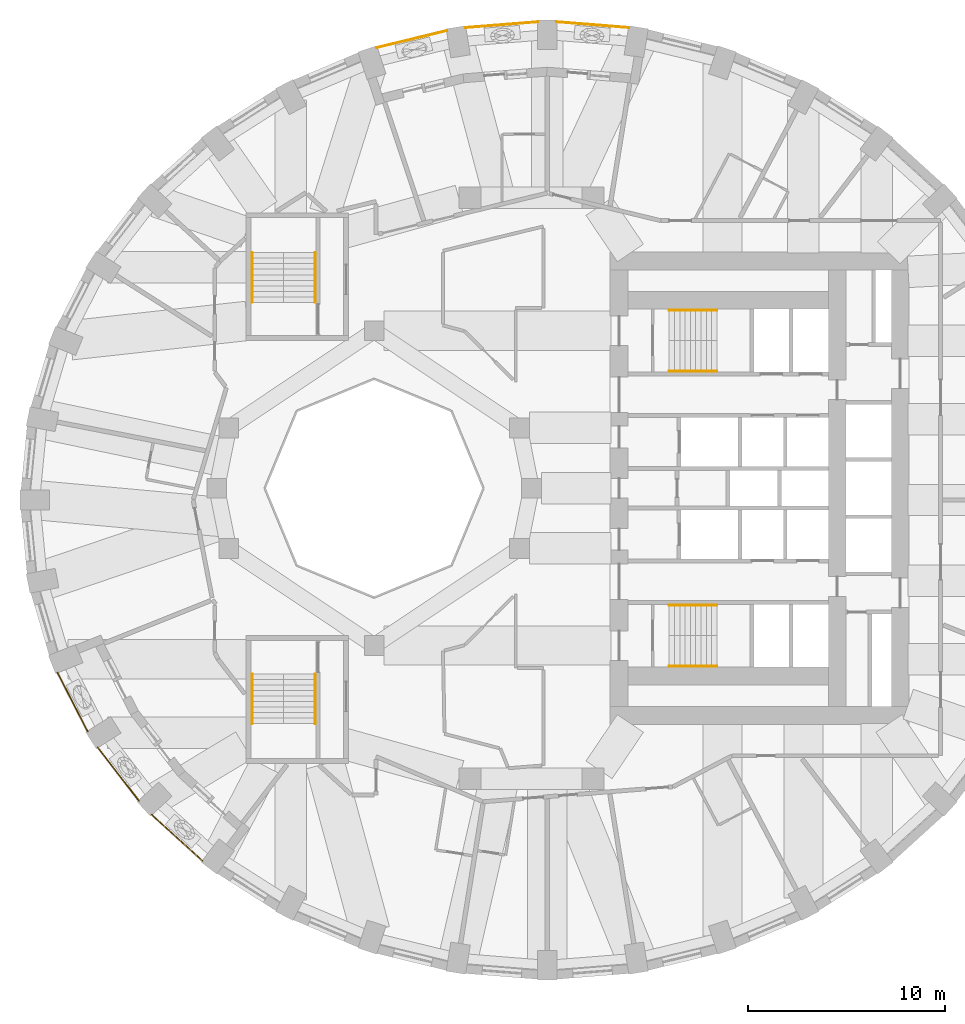
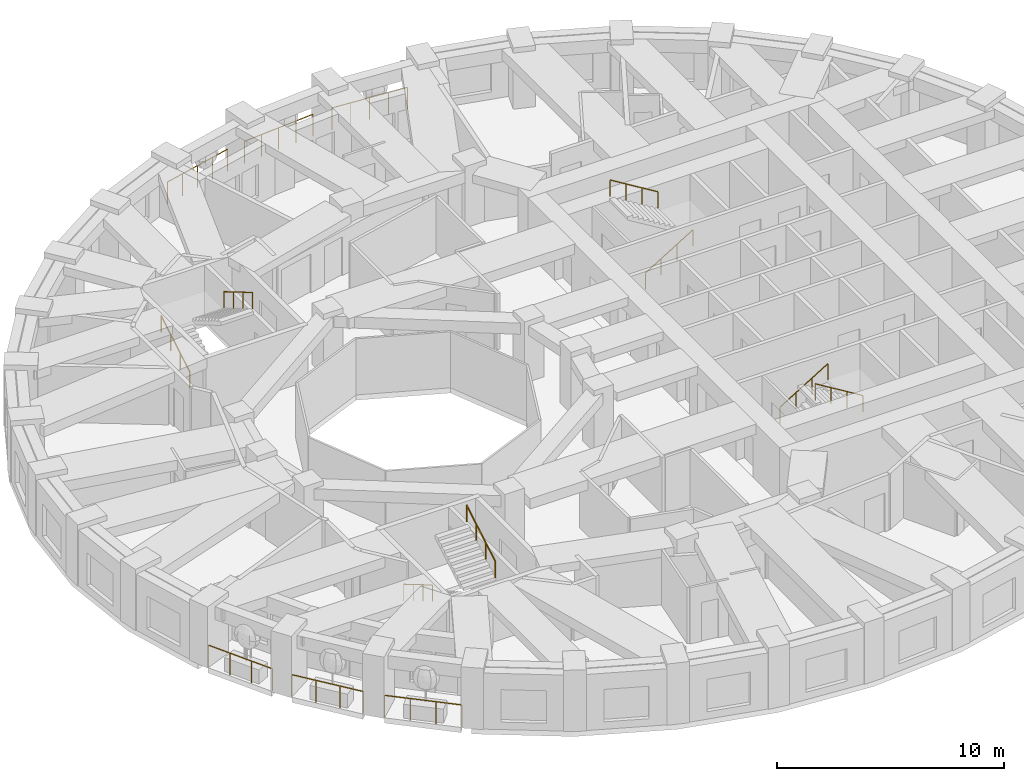
# One storey, part 10 of 12: 14 railings.
"""IFC4 building model written with IfcOpenShell, lengths in metres."""

from ifc_helpers import new_model, si_unit, direction, frame, origin, origin_2d, place, context, subcontext, project, spatial, circle, extrude, material, type_object, element, save


model = new_model("IFC4")

# Units and contexts
model_context = context("Model", 3, precision=1e-05, world=origin(), true_north=direction((0.0, 1.0)))
body_context = subcontext(model_context, "Body", "Model", "MODEL_VIEW")
ifc_project = project(units=[si_unit("LENGTHUNIT", "METRE"), si_unit("AREAUNIT", "SQUARE_METRE"), si_unit("VOLUMEUNIT", "CUBIC_METRE"), si_unit("PLANEANGLEUNIT", "RADIAN"), si_unit("MASSUNIT", "GRAM", prefix="KILO")], contexts=[model_context])

# Site, building, storey
site_placement = place(None, origin())
site = spatial("IfcSite", under=ifc_project, at=site_placement, CompositionType="ELEMENT")
building_placement = place(site_placement, origin())
building = spatial("IfcBuilding", under=site, at=building_placement, Name="Taillehof Tower", CompositionType="ELEMENT")
storey_placement = place(building_placement, frame((0.0, 0.0, 92.199951171875)))
storey = spatial("IfcBuildingStorey", under=building, at=storey_placement, Name="L25", CompositionType="ELEMENT", Elevation=92.199951171875)

# Railings
ifc_material_1 = material(Name="Stainless steel balustrade", Category="steel")
railing_type_1 = type_object("IfcRailingType", Name="Balcony guard 1200", PredefinedType="GUARDRAIL", material=ifc_material_1)
railing_1_placement = place(storey_placement, frame((-24.09912109375, -9.373779296875, 0.0)))
element("IfcRailing", 1, at=railing_1_placement, inside=storey, type_object=railing_type_1, Name="Balcony guard L25 bay 21", PredefinedType="GUARDRAIL", context=body_context, shape_type="SweptSolid", body=[
    extrude(circle(Radius=0.02392578125, at=origin_2d()), frame((0.0, 0.0, 1.17578125), z_axis=(0.456827973353, -0.88955505887, 0.0), x_axis=(0.88955505887, 0.456827973353, 0.0)), (0.0, 0.0, 1.0), 3.363037109375),
    extrude(circle(Radius=0.02099609375, at=origin_2d()), origin(), (0.0, 0.0, 1.0), 1.15185546875),
    extrude(circle(Radius=0.02099609375, at=origin_2d()), frame((0.51220703125, -0.997314453125, 0.0)), (0.0, 0.0, 1.0), 1.15185546875),
    extrude(circle(Radius=0.02099609375, at=origin_2d()), frame((1.024169921875, -1.994384765625, 0.0)), (0.0, 0.0, 1.0), 1.15185546875),
    extrude(circle(Radius=0.02099609375, at=origin_2d()), frame((1.536376953125, -2.99169921875, 0.0)), (0.0, 0.0, 1.0), 1.15185546875),
])
railing_2_placement = place(storey_placement, frame((-22.048095703125, -13.17626953125, 0.0)))
element("IfcRailing", 2, at=railing_2_placement, inside=storey, type_object=railing_type_1, Name="Balcony guard L25 bay 22", PredefinedType="GUARDRAIL", context=body_context, shape_type="SweptSolid", body=[
    extrude(circle(Radius=0.02392578125, at=origin_2d()), frame((0.0, 0.0, 1.17578125), z_axis=(0.610692337077, -0.791867962122, 0.0), x_axis=(0.791867962122, 0.610692337077, 0.0)), (0.0, 0.0, 1.0), 3.424072265625),
    extrude(circle(Radius=0.02099609375, at=origin_2d()), origin(), (0.0, 0.0, 1.0), 1.15185546875),
    extrude(circle(Radius=0.02099609375, at=origin_2d()), frame((0.697021484375, -0.90380859375, 0.0)), (0.0, 0.0, 1.0), 1.15185546875),
    extrude(circle(Radius=0.02099609375, at=origin_2d()), frame((1.39404296875, -1.8076171875, 0.0)), (0.0, 0.0, 1.0), 1.15185546875),
    extrude(circle(Radius=0.02099609375, at=origin_2d()), frame((2.091064453125, -2.71142578125, 0.0)), (0.0, 0.0, 1.0), 1.15185546875),
])
railing_3_placement = place(storey_placement, frame((-19.305908203125, -16.593505859375, 0.0)))
element("IfcRailing", 3, at=railing_3_placement, inside=storey, type_object=railing_type_1, Name="Balcony guard L25 bay 23", PredefinedType="GUARDRAIL", context=body_context, shape_type="SweptSolid", body=[
    extrude(circle(Radius=0.02392578125, at=origin_2d()), frame((0.0, 0.0, 1.17578125), z_axis=(0.740395369755, -0.672171627225, 0.0), x_axis=(0.672171627225, 0.740395369755, 0.0)), (0.0, 0.0, 1.0), 3.49267578125),
    extrude(circle(Radius=0.02099609375, at=origin_2d()), origin(), (0.0, 0.0, 1.0), 1.15185546875),
    extrude(circle(Radius=0.02099609375, at=origin_2d()), frame((0.862060546875, -0.782470703125, 0.0)), (0.0, 0.0, 1.0), 1.15185546875),
    extrude(circle(Radius=0.02099609375, at=origin_2d()), frame((1.723876953125, -1.565185546875, 0.0)), (0.0, 0.0, 1.0), 1.15185546875),
    extrude(circle(Radius=0.02099609375, at=origin_2d()), frame((2.5859375, -2.34765625, 0.0)), (0.0, 0.0, 1.0), 1.15185546875),
])
railing_4_placement = place(storey_placement, frame((4.952880859375, 23.409912109375, 0.0)))
element("IfcRailing", 4, at=railing_4_placement, inside=storey, type_object=railing_type_1, Name="Balcony guard L25 bay 9", PredefinedType="GUARDRAIL", context=body_context, shape_type="SweptSolid", body=[
    extrude(circle(Radius=0.02392578125, at=origin_2d()), frame((0.0, 0.0, 1.17578125), z_axis=(-0.996859998308, 0.07918423943, 0.0), x_axis=(-0.07918423943, -0.996859998308, 0.0)), (0.0, 0.0, 1.0), 3.684326171875),
    extrude(circle(Radius=0.02099609375, at=origin_2d()), origin(), (0.0, 0.0, 1.0), 1.15185546875),
    extrude(circle(Radius=0.02099609375, at=origin_2d()), frame((-0.918212890625, 0.072998046875, 0.0)), (0.0, 0.0, 1.0), 1.15185546875),
    extrude(circle(Radius=0.02099609375, at=origin_2d()), frame((-1.83642578125, 0.14599609375, 0.0)), (0.0, 0.0, 1.0), 1.15185546875),
    extrude(circle(Radius=0.02099609375, at=origin_2d()), frame((-2.754638671875, 0.21875, 0.0)), (0.0, 0.0, 1.0), 1.15185546875),
    extrude(circle(Radius=0.02099609375, at=origin_2d()), frame((-3.6728515625, 0.291748046875, 0.0)), (0.0, 0.0, 1.0), 1.15185546875),
])
railing_5_placement = place(storey_placement, frame((0.31982421875, 23.70166015625, 0.0)))
element("IfcRailing", 5, at=railing_5_placement, inside=storey, type_object=railing_type_1, Name="Balcony guard L25 bay 10", PredefinedType="GUARDRAIL", context=body_context, shape_type="SweptSolid", body=[
    extrude(circle(Radius=0.02392578125, at=origin_2d()), frame((0.0, 0.0, 1.17578125), z_axis=(-0.996859582788, -0.079189470281, 0.0), x_axis=(0.079189470281, -0.996859582788, 0.0)), (0.0, 0.0, 1.0), 3.68408203125),
    extrude(circle(Radius=0.02099609375, at=origin_2d()), origin(), (0.0, 0.0, 1.0), 1.15185546875),
    extrude(circle(Radius=0.02099609375, at=origin_2d()), frame((-0.918212890625, -0.072998046875, 0.0)), (0.0, 0.0, 1.0), 1.15185546875),
    extrude(circle(Radius=0.02099609375, at=origin_2d()), frame((-1.83642578125, -0.14599609375, 0.0)), (0.0, 0.0, 1.0), 1.15185546875),
    extrude(circle(Radius=0.02099609375, at=origin_2d()), frame((-2.75439453125, -0.21875, 0.0)), (0.0, 0.0, 1.0), 1.15185546875),
    extrude(circle(Radius=0.02099609375, at=origin_2d()), frame((-3.672607421875, -0.291748046875, 0.0)), (0.0, 0.0, 1.0), 1.15185546875),
])
railing_6_placement = place(storey_placement, frame((-4.30078125, 23.258056640625, 0.0)))
element("IfcRailing", 6, at=railing_6_placement, inside=storey, type_object=railing_type_1, Name="Balcony guard L25 bay 11", PredefinedType="GUARDRAIL", context=body_context, shape_type="SweptSolid", body=[
    extrude(circle(Radius=0.02392578125, at=origin_2d()), frame((0.0, 0.0, 1.17578125), z_axis=(-0.97164897724, -0.23642813925, 0.0), x_axis=(0.23642813925, -0.97164897724, 0.0)), (0.0, 0.0, 1.0), 3.66162109375),
    extrude(circle(Radius=0.02099609375, at=origin_2d()), origin(), (0.0, 0.0, 1.0), 1.15185546875),
    extrude(circle(Radius=0.02099609375, at=origin_2d()), frame((-0.889404296875, -0.21630859375, 0.0)), (0.0, 0.0, 1.0), 1.15185546875),
    extrude(circle(Radius=0.02099609375, at=origin_2d()), frame((-1.77880859375, -0.432861328125, 0.0)), (0.0, 0.0, 1.0), 1.15185546875),
    extrude(circle(Radius=0.02099609375, at=origin_2d()), frame((-2.66845703125, -0.6494140625, 0.0)), (0.0, 0.0, 1.0), 1.15185546875),
    extrude(circle(Radius=0.02099609375, at=origin_2d()), frame((-3.557861328125, -0.86572265625, 0.0)), (0.0, 0.0, 1.0), 1.15185546875),
])
ifc_material_2 = material(Name="Stainless steel", Category="steel")
railing_type_2 = type_object("IfcRailingType", Name="Stair handrail 900", PredefinedType="HANDRAIL", material=ifc_material_2)
railing_7_placement = place(storey_placement, frame((7.0, 5.949951171875, 0.1650390625)))
element("IfcRailing", 7, at=railing_7_placement, inside=storey, type_object=railing_type_2, Name="Stair S1 handrail", PredefinedType="HANDRAIL", context=body_context, shape_type="SweptSolid", body=[
    extrude(circle(Radius=0.02392578125, at=origin_2d()), frame((0.0, 0.0, 0.8759765625), z_axis=(0.853258522278, 0.0, 0.521488153423), x_axis=(0.0, 1.0, 0.0)), (0.0, 0.0, 1.0), 2.847900390625),
    extrude(circle(Radius=0.02099609375, at=origin_2d()), origin(), (0.0, 0.0, 1.0), 0.851806640625),
    extrude(circle(Radius=0.02099609375, at=origin_2d()), frame((0.81005859375, 0.0, 0.4951171875)), (0.0, 0.0, 1.0), 0.851806640625),
    extrude(circle(Radius=0.02099609375, at=origin_2d()), frame((1.619873046875, 0.0, 0.989990234375)), (0.0, 0.0, 1.0), 0.851806640625),
    extrude(circle(Radius=0.02099609375, at=origin_2d()), frame((2.429931640625, 0.0, 1.485107421875)), (0.0, 0.0, 1.0), 0.851806640625),
])
railing_8_placement = place(storey_placement, frame((9.429931640625, 9.050048828125, 1.81494140625)))
element("IfcRailing", 8, at=railing_8_placement, inside=storey, type_object=railing_type_2, Name="Stair S1 handrail", PredefinedType="HANDRAIL", context=body_context, shape_type="SweptSolid", body=[
    extrude(circle(Radius=0.02392578125, at=origin_2d()), frame((0.0, 0.0, 0.8759765625), z_axis=(-0.853258522278, 0.0, 0.521488153423), x_axis=(0.0, -1.0, 0.0)), (0.0, 0.0, 1.0), 2.847900390625),
    extrude(circle(Radius=0.02099609375, at=origin_2d()), origin(), (0.0, 0.0, 1.0), 0.851806640625),
    extrude(circle(Radius=0.02099609375, at=origin_2d()), frame((-0.81005859375, 0.0, 0.4951171875)), (0.0, 0.0, 1.0), 0.851806640625),
    extrude(circle(Radius=0.02099609375, at=origin_2d()), frame((-1.619873046875, 0.0, 0.989990234375)), (0.0, 0.0, 1.0), 0.851806640625),
    extrude(circle(Radius=0.02099609375, at=origin_2d()), frame((-2.429931640625, 0.0, 1.485107421875)), (0.0, 0.0, 1.0), 0.851806640625),
])
railing_9_placement = place(storey_placement, frame((7.0, -5.949951171875, 0.1650390625)))
element("IfcRailing", 9, at=railing_9_placement, inside=storey, type_object=railing_type_2, Name="Stair S2 handrail", PredefinedType="HANDRAIL", context=body_context, shape_type="SweptSolid", body=[
    extrude(circle(Radius=0.02392578125, at=origin_2d()), frame((0.0, 0.0, 0.8759765625), z_axis=(0.853258522278, 0.0, 0.521488153423), x_axis=(0.0, 1.0, 0.0)), (0.0, 0.0, 1.0), 2.847900390625),
    extrude(circle(Radius=0.02099609375, at=origin_2d()), origin(), (0.0, 0.0, 1.0), 0.851806640625),
    extrude(circle(Radius=0.02099609375, at=origin_2d()), frame((0.81005859375, 0.0, 0.4951171875)), (0.0, 0.0, 1.0), 0.851806640625),
    extrude(circle(Radius=0.02099609375, at=origin_2d()), frame((1.619873046875, 0.0, 0.989990234375)), (0.0, 0.0, 1.0), 0.851806640625),
    extrude(circle(Radius=0.02099609375, at=origin_2d()), frame((2.429931640625, 0.0, 1.485107421875)), (0.0, 0.0, 1.0), 0.851806640625),
])
railing_10_placement = place(storey_placement, frame((9.429931640625, -9.050048828125, 1.81494140625)))
element("IfcRailing", 10, at=railing_10_placement, inside=storey, type_object=railing_type_2, Name="Stair S2 handrail", PredefinedType="HANDRAIL", context=body_context, shape_type="SweptSolid", body=[
    extrude(circle(Radius=0.02392578125, at=origin_2d()), frame((0.0, 0.0, 0.8759765625), z_axis=(-0.853258522278, 0.0, 0.521488153423), x_axis=(0.0, -1.0, 0.0)), (0.0, 0.0, 1.0), 2.847900390625),
    extrude(circle(Radius=0.02099609375, at=origin_2d()), origin(), (0.0, 0.0, 1.0), 0.851806640625),
    extrude(circle(Radius=0.02099609375, at=origin_2d()), frame((-0.81005859375, 0.0, 0.4951171875)), (0.0, 0.0, 1.0), 0.851806640625),
    extrude(circle(Radius=0.02099609375, at=origin_2d()), frame((-1.619873046875, 0.0, 0.989990234375)), (0.0, 0.0, 1.0), 0.851806640625),
    extrude(circle(Radius=0.02099609375, at=origin_2d()), frame((-2.429931640625, 0.0, 1.485107421875)), (0.0, 0.0, 1.0), 0.851806640625),
])
railing_11_placement = place(storey_placement, frame((-14.199951171875, 9.449951171875, 0.1650390625)))
element("IfcRailing", 11, at=railing_11_placement, inside=storey, type_object=railing_type_2, Name="Stair S3 handrail", PredefinedType="HANDRAIL", context=body_context, shape_type="SweptSolid", body=[
    extrude(circle(Radius=0.02392578125, at=origin_2d()), frame((0.0, 0.0, 0.8759765625), z_axis=(0.0, 0.86152411907, 0.507716645641), x_axis=(-1.0, 0.0, 0.0)), (0.0, 0.0, 1.0), 2.925048828125),
    extrude(circle(Radius=0.02099609375, at=origin_2d()), origin(), (0.0, 0.0, 1.0), 0.851806640625),
    extrude(circle(Radius=0.02099609375, at=origin_2d()), frame((0.0, 0.840087890625, 0.4951171875)), (0.0, 0.0, 1.0), 0.851806640625),
    extrude(circle(Radius=0.02099609375, at=origin_2d()), frame((0.0, 1.679931640625, 0.989990234375)), (0.0, 0.0, 1.0), 0.851806640625),
    extrude(circle(Radius=0.02099609375, at=origin_2d()), frame((0.0, 2.52001953125, 1.485107421875)), (0.0, 0.0, 1.0), 0.851806640625),
])
for number, where, name in (
    (12, (-11.0, 11.969970703125, 1.81494140625), "Stair S3 handrail"),
    (13, (-14.199951171875, -9.449951171875, 0.1650390625), "Stair S4 handrail"),
):
    element("IfcRailing", number, at=place(storey_placement, frame(where)), inside=storey, type_object=railing_type_2, Name=name, PredefinedType="HANDRAIL", context=body_context, shape_type="SweptSolid", body=[
        extrude(circle(Radius=0.02392578125, at=origin_2d()), frame((0.0, 0.0, 0.8759765625), z_axis=(0.0, -0.86152411907, 0.507716645641), x_axis=(1.0, 0.0, 0.0)), (0.0, 0.0, 1.0), 2.925048828125),
        extrude(circle(Radius=0.02099609375, at=origin_2d()), origin(), (0.0, 0.0, 1.0), 0.851806640625),
        extrude(circle(Radius=0.02099609375, at=origin_2d()), frame((0.0, -0.840087890625, 0.4951171875)), (0.0, 0.0, 1.0), 0.851806640625),
        extrude(circle(Radius=0.02099609375, at=origin_2d()), frame((0.0, -1.679931640625, 0.989990234375)), (0.0, 0.0, 1.0), 0.851806640625),
        extrude(circle(Radius=0.02099609375, at=origin_2d()), frame((0.0, -2.52001953125, 1.485107421875)), (0.0, 0.0, 1.0), 0.851806640625),
    ])
railing_12_placement = place(storey_placement, frame((-11.0, -11.969970703125, 1.81494140625)))
element("IfcRailing", 14, at=railing_12_placement, inside=storey, type_object=railing_type_2, Name="Stair S4 handrail", PredefinedType="HANDRAIL", context=body_context, shape_type="SweptSolid", body=[
    extrude(circle(Radius=0.02392578125, at=origin_2d()), frame((0.0, 0.0, 0.8759765625), z_axis=(0.0, 0.86152411907, 0.507716645641), x_axis=(-1.0, 0.0, 0.0)), (0.0, 0.0, 1.0), 2.925048828125),
    extrude(circle(Radius=0.02099609375, at=origin_2d()), origin(), (0.0, 0.0, 1.0), 0.851806640625),
    extrude(circle(Radius=0.02099609375, at=origin_2d()), frame((0.0, 0.840087890625, 0.4951171875)), (0.0, 0.0, 1.0), 0.851806640625),
    extrude(circle(Radius=0.02099609375, at=origin_2d()), frame((0.0, 1.679931640625, 0.989990234375)), (0.0, 0.0, 1.0), 0.851806640625),
    extrude(circle(Radius=0.02099609375, at=origin_2d()), frame((0.0, 2.52001953125, 1.485107421875)), (0.0, 0.0, 1.0), 0.851806640625),
])

save(model, "model.ifc")
